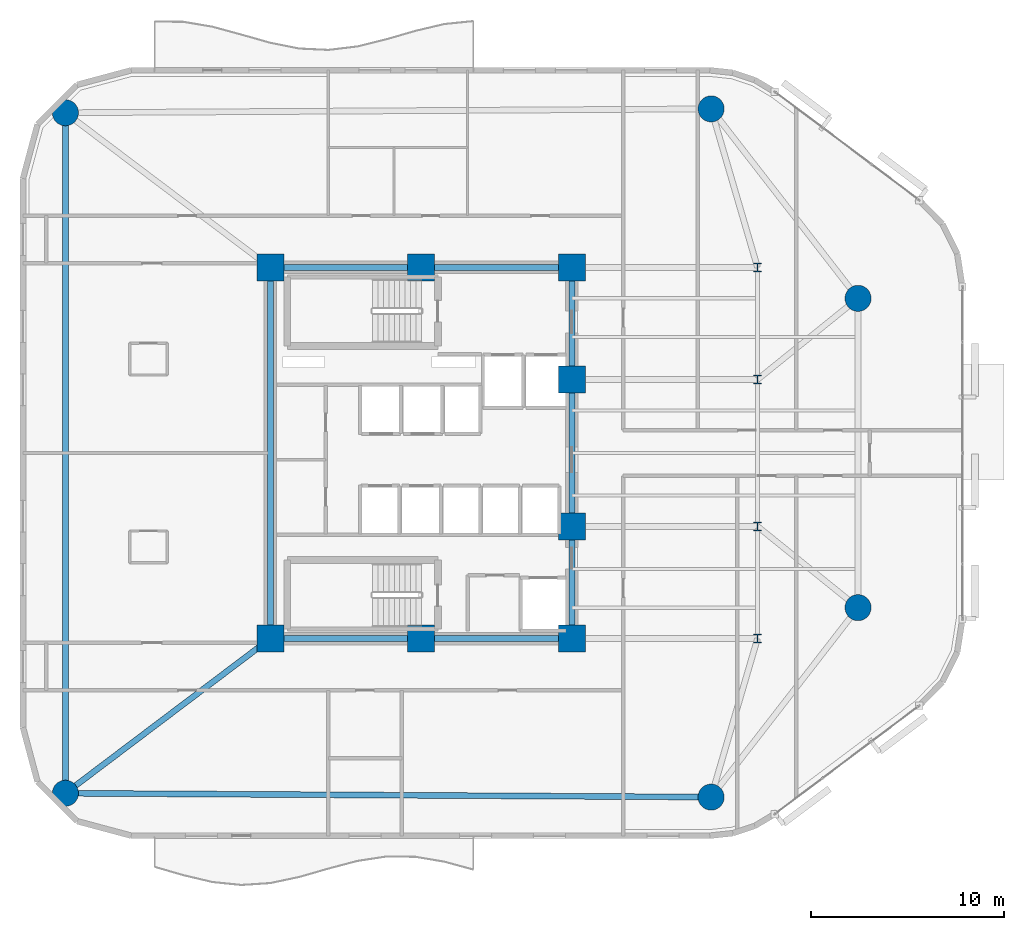
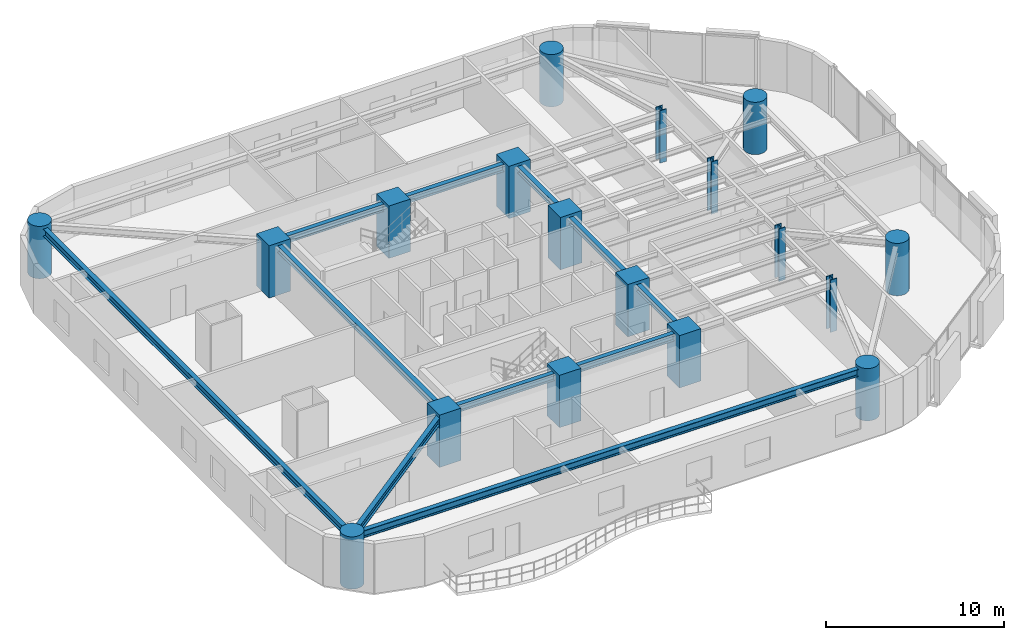
# One storey, part 1 of 16: 18 columns, 9 beams.
"""IFC4 building model written with IfcOpenShell, lengths in metres."""

from ifc_helpers import new_model, si_unit, direction, frame, origin, origin_2d, place, context, subcontext, project, spatial, rectangle, circle, i_section, extrude, material, material_profile, profile_set, type_object, element, save


model = new_model("IFC4")

# Units and contexts
model_context = context("Model", 3, precision=1e-05, world=origin(), true_north=direction((0.0, 1.0)))
body_context = subcontext(model_context, "Body", "Model", "MODEL_VIEW")
ifc_project = project(units=[si_unit("LENGTHUNIT", "METRE"), si_unit("AREAUNIT", "SQUARE_METRE"), si_unit("VOLUMEUNIT", "CUBIC_METRE"), si_unit("PLANEANGLEUNIT", "RADIAN"), si_unit("MASSUNIT", "GRAM", prefix="KILO")], contexts=[model_context])

# Site, building, storey
site_placement = place(None, origin())
site = spatial("IfcSite", under=ifc_project, at=site_placement, CompositionType="ELEMENT")
building_placement = place(site_placement, origin())
building = spatial("IfcBuilding", under=site, at=building_placement, Name="An Khanh Terracotta Commons", CompositionType="ELEMENT")
storey_placement = place(building_placement, frame((0.0, 0.0, 118.699951171875)))
storey = spatial("IfcBuildingStorey", under=building, at=storey_placement, Name="L31", CompositionType="ELEMENT", Elevation=118.699951171875)

# Columns
ifc_material_1 = material(Name="Concrete C70/85", Category="concrete")
ifc_material_profile_1 = material_profile(ifc_material_1, circle(Radius=0.675048828125, at=origin_2d()), Name="CFST1350")
ifc_profile_set_1 = profile_set([ifc_material_profile_1], Name="Concrete C70/85")
column_type_1 = type_object("IfcColumnType", Name="COL-CFST1350", PredefinedType="COLUMN", material=ifc_profile_set_1)
for number, where, z_axis, x_axis, name in (
    (1, (11.0, 6.39990234375, 0.0), (0.0, 0.0, 1.0), (1.0, 0.0, 0.0), "L31 Perimeter CFST Mega-Column MC-01"),
    (2, (44.39990234375, 6.199951171875, 0.0), (0.0, 0.0, 1.0), (1.0, 0.0, 0.0), "L31 Perimeter CFST Mega-Column MC-02"),
    (3, (52.0, 16.0, 0.0), (0.0, 0.0, 1.0), (1.0, 0.0, 0.0), "L31 Perimeter CFST Mega-Column MC-03"),
    (4, (52.0, 32.0, 0.0), (0.0, 0.0, 1.0), (1.0, 0.0, 0.0), "L31 Perimeter CFST Mega-Column MC-04"),
    (5, (44.39990234375, 41.800048828125, 0.0), (0.0, 0.0, 1.0), (1.0, 0.0, 0.0), "L31 Perimeter CFST Mega-Column MC-05"),
    (6, (11.0, 41.60009765625, 0.0), (0.0, 0.0, 1.0), (1.0, 0.0, 0.0), "L31 Perimeter CFST Mega-Column MC-06"),
):
    element("IfcColumn", number, at=place(storey_placement, frame(where, z_axis=z_axis, x_axis=x_axis)), inside=storey, type_object=column_type_1, Name=name, PredefinedType="COLUMN", context=body_context, shape_type="SweptSolid", body=[
        extrude(circle(Radius=0.675048828125, at=origin_2d()), origin(), (0.0, 0.0, 1.0), 3.60009765625),
    ])
ifc_material_2 = material(Name="Steel S460ML", Category="steel")
ifc_material_profile_2 = material_profile(ifc_material_2, i_section(OverallWidth=0.4169921875, OverallDepth=0.47705078125, WebThickness=0.035888671875, FlangeThickness=0.057373046875, FilletRadius=0.014892578125, at=origin_2d()), Name="HD400x463")
ifc_profile_set_2 = profile_set([ifc_material_profile_2], Name="Steel S460ML")
column_type_2 = type_object("IfcColumnType", Name="COL-HD400x463", PredefinedType="COLUMN", material=ifc_profile_set_2)
for number, where, z_axis, x_axis, name in (
    (7, (46.800048828125, 14.39990234375, 0.0), (0.0, 0.0, 1.0), (1.0, 0.0, 0.0), "L31 Interior Frame Column TC-01"),
    (8, (46.800048828125, 20.199951171875, 0.0), (0.0, 0.0, 1.0), (1.0, 0.0, 0.0), "L31 Interior Frame Column TC-02"),
    (9, (46.800048828125, 27.800048828125, 0.0), (0.0, 0.0, 1.0), (1.0, 0.0, 0.0), "L31 Interior Frame Column TC-03"),
    (10, (46.800048828125, 33.60009765625, 0.0), (0.0, 0.0, 1.0), (1.0, 0.0, 0.0), "L31 Interior Frame Column TC-04"),
):
    element("IfcColumn", number, at=place(storey_placement, frame(where, z_axis=z_axis, x_axis=x_axis)), inside=storey, type_object=column_type_2, Name=name, PredefinedType="COLUMN", context=body_context, shape_type="SweptSolid", body=[
        extrude(i_section(OverallWidth=0.4169921875, OverallDepth=0.47705078125, WebThickness=0.035888671875, FlangeThickness=0.057373046875, FilletRadius=0.014892578125, at=origin_2d()), origin(), (0.0, 0.0, 1.0), 3.60009765625),
    ])
ifc_material_profile_3 = material_profile(ifc_material_1, rectangle(XDim=1.39990234375, YDim=1.39990234375, at=origin_2d()), Name="RC1400x1400")
ifc_profile_set_3 = profile_set([ifc_material_profile_3], Name="Concrete C70/85")
column_type_3 = type_object("IfcColumnType", Name="COL-RC1400x1400", PredefinedType="COLUMN", material=ifc_profile_set_3)
for number, where, z_axis, x_axis, name in (
    (11, (21.60009765625, 14.39990234375, 0.0), (0.0, 0.0, 1.0), (1.0, 0.0, 0.0), "L31 Core Boundary Column CC-01"),
    (12, (29.39990234375, 14.39990234375, 0.0), (0.0, 0.0, 1.0), (1.0, 0.0, 0.0), "L31 Core Boundary Column CC-02"),
    (13, (37.199951171875, 14.39990234375, 0.0), (0.0, 0.0, 1.0), (1.0, 0.0, 0.0), "L31 Core Boundary Column CC-03"),
    (14, (37.199951171875, 20.199951171875, 0.0), (0.0, 0.0, 1.0), (1.0, 0.0, 0.0), "L31 Core Boundary Column CC-04"),
    (15, (37.199951171875, 27.800048828125, 0.0), (0.0, 0.0, 1.0), (1.0, 0.0, 0.0), "L31 Core Boundary Column CC-05"),
    (16, (37.199951171875, 33.60009765625, 0.0), (0.0, 0.0, 1.0), (1.0, 0.0, 0.0), "L31 Core Boundary Column CC-06"),
    (17, (29.39990234375, 33.60009765625, 0.0), (0.0, 0.0, 1.0), (1.0, 0.0, 0.0), "L31 Core Boundary Column CC-07"),
    (18, (21.60009765625, 33.60009765625, 0.0), (0.0, 0.0, 1.0), (1.0, 0.0, 0.0), "L31 Core Boundary Column CC-08"),
):
    element("IfcColumn", number, at=place(storey_placement, frame(where, z_axis=z_axis, x_axis=x_axis)), inside=storey, type_object=column_type_3, Name=name, PredefinedType="COLUMN", context=body_context, shape_type="SweptSolid", body=[
        extrude(rectangle(XDim=1.39990234375, YDim=1.39990234375, at=origin_2d()), origin(), (0.0, 0.0, 1.0), 3.60009765625),
    ])

# Beams
ifc_material_3 = material(Name="Steel S355J2", Category="steel")
ifc_material_profile_4 = material_profile(ifc_material_3, i_section(OverallWidth=0.300048828125, OverallDepth=0.449951171875, WebThickness=0.013916015625, FlangeThickness=0.02587890625, FilletRadius=0.027099609375, at=origin_2d()), Name="HEB450")
ifc_profile_set_4 = profile_set([ifc_material_profile_4], Name="Steel S355J2")
beam_type_1 = type_object("IfcBeamType", Name="BM-HEB450", PredefinedType="BEAM", material=ifc_profile_set_4)
beam_1_placement = place(storey_placement, frame((37.199951171875, 14.39990234375, 3.175048828125), z_axis=(0.0, 1.0, 0.0), x_axis=(-1.0, 0.0, 0.0)))
element("IfcBeam", 19, at=beam_1_placement, inside=storey, type_object=beam_type_1, Name="L31 Core East Coupling Girder 1", PredefinedType="BEAM", context=body_context, shape_type="SweptSolid", body=[
    extrude(i_section(OverallWidth=0.300048828125, OverallDepth=0.449951171875, WebThickness=0.013916015625, FlangeThickness=0.02587890625, FilletRadius=0.027099609375, at=origin_2d()), origin(), (0.0, 0.0, 1.0), 5.800048828125),
])
beam_2_placement = place(storey_placement, frame((37.199951171875, 20.199951171875, 3.175048828125), z_axis=(0.0, 1.0, 0.0), x_axis=(-1.0, 0.0, 0.0)))
element("IfcBeam", 20, at=beam_2_placement, inside=storey, type_object=beam_type_1, Name="L31 Core East Coupling Girder 2", PredefinedType="BEAM", context=body_context, shape_type="SweptSolid", body=[
    extrude(i_section(OverallWidth=0.300048828125, OverallDepth=0.449951171875, WebThickness=0.013916015625, FlangeThickness=0.02587890625, FilletRadius=0.027099609375, at=origin_2d()), origin(), (0.0, 0.0, 1.0), 7.60009765625),
])
beam_3_placement = place(storey_placement, frame((37.199951171875, 27.800048828125, 3.175048828125), z_axis=(0.0, 1.0, 0.0), x_axis=(-1.0, 0.0, 0.0)))
element("IfcBeam", 21, at=beam_3_placement, inside=storey, type_object=beam_type_1, Name="L31 Core East Coupling Girder 3", PredefinedType="BEAM", context=body_context, shape_type="SweptSolid", body=[
    extrude(i_section(OverallWidth=0.300048828125, OverallDepth=0.449951171875, WebThickness=0.013916015625, FlangeThickness=0.02587890625, FilletRadius=0.027099609375, at=origin_2d()), origin(), (0.0, 0.0, 1.0), 5.800048828125),
])
beam_4_placement = place(storey_placement, frame((21.60009765625, 14.39990234375, 3.175048828125), z_axis=(0.0, 1.0, 0.0), x_axis=(-1.0, 0.0, 0.0)))
element("IfcBeam", 22, at=beam_4_placement, inside=storey, type_object=beam_type_1, Name="L31 Core West Coupling Girder", PredefinedType="BEAM", context=body_context, shape_type="SweptSolid", body=[
    extrude(i_section(OverallWidth=0.300048828125, OverallDepth=0.449951171875, WebThickness=0.013916015625, FlangeThickness=0.02587890625, FilletRadius=0.027099609375, at=origin_2d()), origin(), (0.0, 0.0, 1.0), 19.2001953125),
])
ifc_material_profile_5 = material_profile(ifc_material_3, i_section(OverallWidth=0.300048828125, OverallDepth=0.5, WebThickness=0.014404296875, FlangeThickness=0.028076171875, FilletRadius=0.027099609375, at=origin_2d()), Name="HEB500")
ifc_profile_set_5 = profile_set([ifc_material_profile_5], Name="Steel S355J2")
beam_type_2 = type_object("IfcBeamType", Name="BM-HEB500", PredefinedType="BEAM", material=ifc_profile_set_5)
for number, where, z_axis, x_axis, name in (
    (23, (21.60009765625, 14.39990234375, 3.150146484375), (1.0, 0.0, 0.0), (0.0, 1.0, 0.0), "L31 Core South Coupling Girder"),
    (24, (21.60009765625, 33.60009765625, 3.150146484375), (1.0, 0.0, 0.0), (0.0, 1.0, 0.0), "L31 Core North Coupling Girder"),
):
    element("IfcBeam", number, at=place(storey_placement, frame(where, z_axis=z_axis, x_axis=x_axis)), inside=storey, type_object=beam_type_2, Name=name, PredefinedType="BEAM", context=body_context, shape_type="SweptSolid", body=[
        extrude(i_section(OverallWidth=0.300048828125, OverallDepth=0.5, WebThickness=0.014404296875, FlangeThickness=0.028076171875, FilletRadius=0.027099609375, at=origin_2d()), origin(), (0.0, 0.0, 1.0), 15.599853515625),
    ])
beam_5_placement = place(storey_placement, frame((11.0, 6.39990234375, 3.150146484375), z_axis=(0.999982080914, -0.005986472262, 0.0), x_axis=(0.005986472262, 0.999982080914, 0.0)))
element("IfcBeam", 25, at=beam_5_placement, inside=storey, type_object=beam_type_2, Name="L31 Perimeter Ring Spandrel 1", PredefinedType="BEAM", context=body_context, shape_type="SweptSolid", body=[
    extrude(i_section(OverallWidth=0.300048828125, OverallDepth=0.5, WebThickness=0.014404296875, FlangeThickness=0.028076171875, FilletRadius=0.027099609375, at=origin_2d()), origin(), (0.0, 0.0, 1.0), 33.400390625),
])
beam_6_placement = place(storey_placement, frame((11.0, 41.60009765625, 3.150146484375), z_axis=(0.0, -1.0, 0.0), x_axis=(1.0, 0.0, 0.0)))
element("IfcBeam", 26, at=beam_6_placement, inside=storey, type_object=beam_type_2, Name="L31 Perimeter Ring Spandrel 6", PredefinedType="BEAM", context=body_context, shape_type="SweptSolid", body=[
    extrude(i_section(OverallWidth=0.300048828125, OverallDepth=0.5, WebThickness=0.014404296875, FlangeThickness=0.028076171875, FilletRadius=0.027099609375, at=origin_2d()), origin(), (0.0, 0.0, 1.0), 35.2001953125),
])
beam_7_placement = place(storey_placement, frame((11.0, 6.39990234375, 3.150146484375), z_axis=(0.798191818888, 0.602403370061, 0.0), x_axis=(-0.602403370061, 0.798191818888, 0.0)))
element("IfcBeam", 27, at=beam_7_placement, inside=storey, type_object=beam_type_2, Name="L31 Mega-Column Tie Girder 1", PredefinedType="BEAM", context=body_context, shape_type="SweptSolid", body=[
    extrude(i_section(OverallWidth=0.300048828125, OverallDepth=0.5, WebThickness=0.014404296875, FlangeThickness=0.028076171875, FilletRadius=0.027099609375, at=origin_2d()), origin(), (0.0, 0.0, 1.0), 13.280029296875),
])

save(model, "model.ifc")
